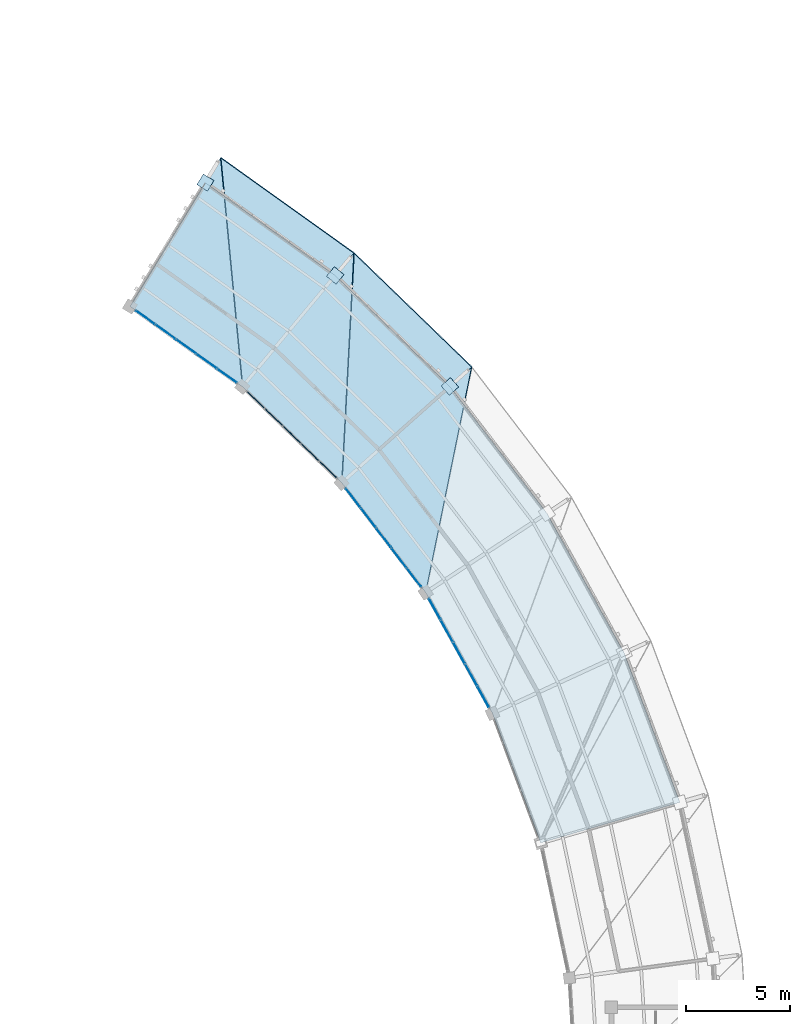
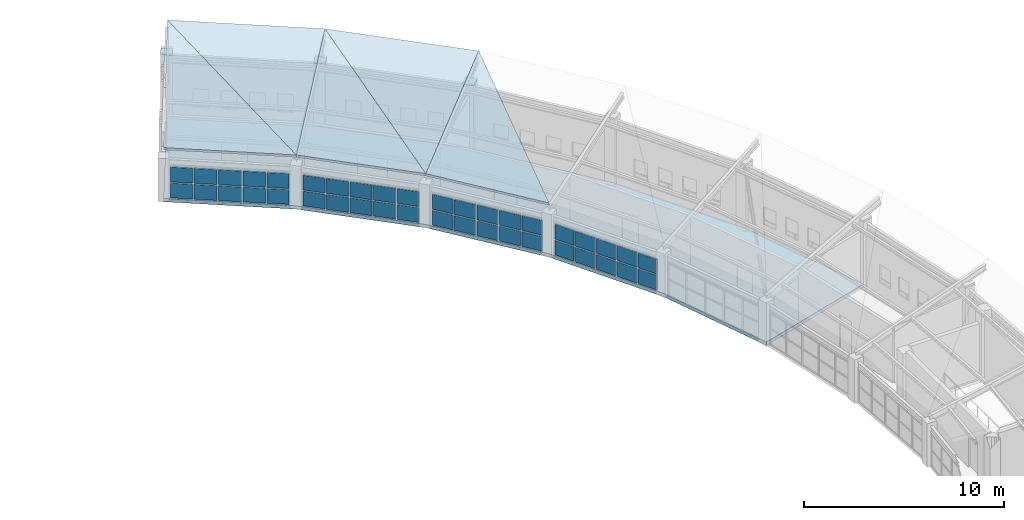
# One storey, part 109 of 149: 43 plates, 6 slabs, 4 elements without a shape of their own.
"""IFC4 building model written with IfcOpenShell, lengths in metres."""

from ifc_helpers import new_model, si_unit, direction, frame, origin, origin_2d, place, context, subcontext, project, spatial, polyline, rectangle, outline, extrude, material, layer, layer_set, type_object, element, aggregate, save


model = new_model("IFC4")

# Units and contexts
model_context = context("Model", 3, precision=1e-05, world=origin(), true_north=direction((0.0, 1.0)))
body_context = subcontext(model_context, "Body", "Model", "MODEL_VIEW")
ifc_project = project(units=[si_unit("LENGTHUNIT", "METRE"), si_unit("AREAUNIT", "SQUARE_METRE"), si_unit("VOLUMEUNIT", "CUBIC_METRE"), si_unit("PLANEANGLEUNIT", "RADIAN"), si_unit("MASSUNIT", "GRAM", prefix="KILO")], contexts=[model_context])

# Site, building, storey
site_placement = place(None, origin())
site = spatial("IfcSite", under=ifc_project, at=site_placement, CompositionType="ELEMENT")
building_placement = place(site_placement, origin())
building = spatial("IfcBuilding", under=site, at=building_placement, Name="Celadon Cloister-Ring School", CompositionType="ELEMENT")
storey_placement = place(building_placement, frame((0.0, 0.0, 12.5)))
storey = spatial("IfcBuildingStorey", under=building, at=storey_placement, Name="L03", CompositionType="ELEMENT", Elevation=12.5)

# Curtain wall, plates
ifc_material_1 = material(Name="Aluminium EN AW-6063 T6", Category="aluminium")
curtain_wall_type = type_object("IfcCurtainWallType", Name="CW-02", PredefinedType="USERDEFINED", material=ifc_material_1)
curtain_wall_1_placement = place(storey_placement, origin())
curtain_wall_1 = element("IfcCurtainWall", 1, at=curtain_wall_1_placement, inside=storey, type_object=curtain_wall_type, Name="Curtain Wall 0075", ObjectType="CURTAIN WALL", PredefinedType="USERDEFINED")
ifc_material_2 = material(Name="Tempered laminated insulating glass", Category="glass")
ifc_layer_1 = layer(ifc_material_2, 0.035888671875)
ifc_layer_set_1 = layer_set([ifc_layer_1], Name="Tempered laminated insulating glass")
plate_type_1 = type_object("IfcPlateType", Name="CPN-03", PredefinedType="CURTAIN_PANEL", material=ifc_layer_set_1)
plate_1_placement = place(storey_placement, frame((127.443603515625, 78.59716796875, 0.074951171875), z_axis=(0.0, 0.0, 1.0), x_axis=(-0.483890699018, 0.875128442804, 0.0)))
plate_1 = element("IfcPlate", 2, at=plate_1_placement, type_object=plate_type_1, Name="CW-02 panel 1.1", PredefinedType="CURTAIN_PANEL", context=body_context, shape_type="SweptSolid", body=[
    extrude(rectangle(XDim=1.101806640625, YDim=0.035888671875, at=origin_2d()), origin(), (0.0, 0.0, 1.0), 0.8974609375),
])
plate_2_placement = place(storey_placement, frame((127.443603515625, 78.59716796875, 1.047607421875), z_axis=(0.0, 0.0, 1.0), x_axis=(-0.483890699018, 0.875128442804, 0.0)))
plate_2 = element("IfcPlate", 3, at=plate_2_placement, type_object=plate_type_1, Name="CW-02 panel 1.2", PredefinedType="CURTAIN_PANEL", context=body_context, shape_type="SweptSolid", body=[
    extrude(rectangle(XDim=1.101806640625, YDim=0.035888671875, at=origin_2d()), origin(), (0.0, 0.0, 1.0), 0.8974609375),
])
plate_3_placement = place(storey_placement, frame((126.8623046875, 79.648681640625, 0.074951171875), z_axis=(0.0, 0.0, 1.0), x_axis=(-0.483890699018, 0.875128442804, 0.0)))
plate_3 = element("IfcPlate", 4, at=plate_3_placement, type_object=plate_type_1, Name="CW-02 panel 2.1", PredefinedType="CURTAIN_PANEL", context=body_context, shape_type="SweptSolid", body=[
    extrude(rectangle(XDim=1.141845703125, YDim=0.035888671875, at=origin_2d()), origin(), (0.0, 0.0, 1.0), 0.8974609375),
])
plate_4_placement = place(storey_placement, frame((126.8623046875, 79.648681640625, 1.047607421875), z_axis=(0.0, 0.0, 1.0), x_axis=(-0.483890699018, 0.875128442804, 0.0)))
plate_4 = element("IfcPlate", 5, at=plate_4_placement, type_object=plate_type_1, Name="CW-02 panel 2.2", PredefinedType="CURTAIN_PANEL", context=body_context, shape_type="SweptSolid", body=[
    extrude(rectangle(XDim=1.141845703125, YDim=0.035888671875, at=origin_2d()), origin(), (0.0, 0.0, 1.0), 0.8974609375),
])
plate_5_placement = place(storey_placement, frame((126.27099609375, 80.718017578125, 0.074951171875), z_axis=(0.0, 0.0, 1.0), x_axis=(-0.483890699018, 0.875128442804, 0.0)))
plate_5 = element("IfcPlate", 6, at=plate_5_placement, type_object=plate_type_1, Name="CW-02 panel 3.1", PredefinedType="CURTAIN_PANEL", context=body_context, shape_type="SweptSolid", body=[
    extrude(rectangle(XDim=1.141845703125, YDim=0.035888671875, at=origin_2d()), origin(), (0.0, 0.0, 1.0), 0.8974609375),
])
plate_6_placement = place(storey_placement, frame((126.27099609375, 80.718017578125, 1.047607421875), z_axis=(0.0, 0.0, 1.0), x_axis=(-0.483890699018, 0.875128442804, 0.0)))
plate_6 = element("IfcPlate", 7, at=plate_6_placement, type_object=plate_type_1, Name="CW-02 panel 3.2", PredefinedType="CURTAIN_PANEL", context=body_context, shape_type="SweptSolid", body=[
    extrude(rectangle(XDim=1.141845703125, YDim=0.035888671875, at=origin_2d()), origin(), (0.0, 0.0, 1.0), 0.8974609375),
])
plate_7_placement = place(storey_placement, frame((125.6796875, 81.787109375, 0.074951171875), z_axis=(0.0, 0.0, 1.0), x_axis=(-0.483890699018, 0.875128442804, 0.0)))
plate_7 = element("IfcPlate", 8, at=plate_7_placement, type_object=plate_type_1, Name="CW-02 panel 4.1", PredefinedType="CURTAIN_PANEL", context=body_context, shape_type="SweptSolid", body=[
    extrude(rectangle(XDim=1.141845703125, YDim=0.035888671875, at=origin_2d()), origin(), (0.0, 0.0, 1.0), 0.8974609375),
])
plate_8_placement = place(storey_placement, frame((125.6796875, 81.787109375, 1.047607421875), z_axis=(0.0, 0.0, 1.0), x_axis=(-0.483890699018, 0.875128442804, 0.0)))
plate_8 = element("IfcPlate", 9, at=plate_8_placement, type_object=plate_type_1, Name="CW-02 panel 4.2", PredefinedType="CURTAIN_PANEL", context=body_context, shape_type="SweptSolid", body=[
    extrude(rectangle(XDim=1.141845703125, YDim=0.035888671875, at=origin_2d()), origin(), (0.0, 0.0, 1.0), 0.8974609375),
])
plate_9_placement = place(storey_placement, frame((125.098388671875, 82.8388671875, 0.074951171875), z_axis=(0.0, 0.0, 1.0), x_axis=(-0.483890699018, 0.875128442804, 0.0)))
plate_9 = element("IfcPlate", 10, at=plate_9_placement, type_object=plate_type_1, Name="CW-02 panel 5.1", PredefinedType="CURTAIN_PANEL", context=body_context, shape_type="SweptSolid", body=[
    extrude(rectangle(XDim=1.101806640625, YDim=0.035888671875, at=origin_2d()), origin(), (0.0, 0.0, 1.0), 0.8974609375),
])
plate_10_placement = place(storey_placement, frame((125.098388671875, 82.8388671875, 1.047607421875), z_axis=(0.0, 0.0, 1.0), x_axis=(-0.483890699018, 0.875128442804, 0.0)))
plate_10 = element("IfcPlate", 11, at=plate_10_placement, type_object=plate_type_1, Name="CW-02 panel 5.2", PredefinedType="CURTAIN_PANEL", context=body_context, shape_type="SweptSolid", body=[
    extrude(rectangle(XDim=1.101806640625, YDim=0.035888671875, at=origin_2d()), origin(), (0.0, 0.0, 1.0), 0.8974609375),
])
aggregate(curtain_wall_1, [plate_1, plate_2, plate_3, plate_4, plate_5, plate_6, plate_7, plate_8, plate_9, plate_10])

curtain_wall_2_placement = place(storey_placement, origin())
curtain_wall_2 = element("IfcCurtainWall", 12, at=curtain_wall_2_placement, inside=storey, type_object=curtain_wall_type, Name="Curtain Wall 0076", ObjectType="CURTAIN WALL", PredefinedType="USERDEFINED")
plate_11_placement = place(storey_placement, frame((124.105224609375, 84.35693359375, 0.074951171875), z_axis=(0.0, 0.0, 1.0), x_axis=(-0.608008842091, 0.793930253825, 0.0)))
plate_11 = element("IfcPlate", 13, at=plate_11_placement, type_object=plate_type_1, Name="CW-02 panel 1.1", PredefinedType="CURTAIN_PANEL", context=body_context, shape_type="SweptSolid", body=[
    extrude(rectangle(XDim=1.10205078125, YDim=0.035888671875, at=origin_2d()), origin(), (0.0, 0.0, 1.0), 0.8974609375),
])
plate_12_placement = place(storey_placement, frame((124.105224609375, 84.35693359375, 1.047607421875), z_axis=(0.0, 0.0, 1.0), x_axis=(-0.608008842091, 0.793930253825, 0.0)))
plate_12 = element("IfcPlate", 14, at=plate_12_placement, type_object=plate_type_1, Name="CW-02 panel 1.2", PredefinedType="CURTAIN_PANEL", context=body_context, shape_type="SweptSolid", body=[
    extrude(rectangle(XDim=1.10205078125, YDim=0.035888671875, at=origin_2d()), origin(), (0.0, 0.0, 1.0), 0.8974609375),
])
plate_13_placement = place(storey_placement, frame((123.37451171875, 85.311279296875, 0.074951171875), z_axis=(0.0, 0.0, 1.0), x_axis=(-0.608008842091, 0.793930253825, 0.0)))
plate_13 = element("IfcPlate", 15, at=plate_13_placement, type_object=plate_type_1, Name="CW-02 panel 2.1", PredefinedType="CURTAIN_PANEL", context=body_context, shape_type="SweptSolid", body=[
    extrude(rectangle(XDim=1.14208984375, YDim=0.035888671875, at=origin_2d()), origin(), (0.0, 0.0, 1.0), 0.8974609375),
])
plate_14_placement = place(storey_placement, frame((123.37451171875, 85.311279296875, 1.047607421875), z_axis=(0.0, 0.0, 1.0), x_axis=(-0.608008842091, 0.793930253825, 0.0)))
plate_14 = element("IfcPlate", 16, at=plate_14_placement, type_object=plate_type_1, Name="CW-02 panel 2.2", PredefinedType="CURTAIN_PANEL", context=body_context, shape_type="SweptSolid", body=[
    extrude(rectangle(XDim=1.14208984375, YDim=0.035888671875, at=origin_2d()), origin(), (0.0, 0.0, 1.0), 0.8974609375),
])
plate_15_placement = place(storey_placement, frame((122.631591796875, 86.281494140625, 0.074951171875), z_axis=(0.0, 0.0, 1.0), x_axis=(-0.608008842091, 0.793930253825, 0.0)))
plate_15 = element("IfcPlate", 17, at=plate_15_placement, type_object=plate_type_1, Name="CW-02 panel 3.1", PredefinedType="CURTAIN_PANEL", context=body_context, shape_type="SweptSolid", body=[
    extrude(rectangle(XDim=1.14208984375, YDim=0.035888671875, at=origin_2d()), origin(), (0.0, 0.0, 1.0), 0.8974609375),
])
plate_16_placement = place(storey_placement, frame((122.631591796875, 86.281494140625, 1.047607421875), z_axis=(0.0, 0.0, 1.0), x_axis=(-0.608008842091, 0.793930253825, 0.0)))
plate_16 = element("IfcPlate", 18, at=plate_16_placement, type_object=plate_type_1, Name="CW-02 panel 3.2", PredefinedType="CURTAIN_PANEL", context=body_context, shape_type="SweptSolid", body=[
    extrude(rectangle(XDim=1.14208984375, YDim=0.035888671875, at=origin_2d()), origin(), (0.0, 0.0, 1.0), 0.8974609375),
])
plate_17_placement = place(storey_placement, frame((121.888427734375, 87.251708984375, 0.074951171875), z_axis=(0.0, 0.0, 1.0), x_axis=(-0.608008842091, 0.793930253825, 0.0)))
plate_17 = element("IfcPlate", 19, at=plate_17_placement, type_object=plate_type_1, Name="CW-02 panel 4.1", PredefinedType="CURTAIN_PANEL", context=body_context, shape_type="SweptSolid", body=[
    extrude(rectangle(XDim=1.14208984375, YDim=0.035888671875, at=origin_2d()), origin(), (0.0, 0.0, 1.0), 0.8974609375),
])
plate_18_placement = place(storey_placement, frame((121.888427734375, 87.251708984375, 1.047607421875), z_axis=(0.0, 0.0, 1.0), x_axis=(-0.608008842091, 0.793930253825, 0.0)))
plate_18 = element("IfcPlate", 20, at=plate_18_placement, type_object=plate_type_1, Name="CW-02 panel 4.2", PredefinedType="CURTAIN_PANEL", context=body_context, shape_type="SweptSolid", body=[
    extrude(rectangle(XDim=1.14208984375, YDim=0.035888671875, at=origin_2d()), origin(), (0.0, 0.0, 1.0), 0.8974609375),
])
plate_19_placement = place(storey_placement, frame((121.15771484375, 88.2060546875, 0.074951171875), z_axis=(0.0, 0.0, 1.0), x_axis=(-0.608008842091, 0.793930253825, 0.0)))
plate_19 = element("IfcPlate", 21, at=plate_19_placement, type_object=plate_type_1, Name="CW-02 panel 5.1", PredefinedType="CURTAIN_PANEL", context=body_context, shape_type="SweptSolid", body=[
    extrude(rectangle(XDim=1.10205078125, YDim=0.035888671875, at=origin_2d()), origin(), (0.0, 0.0, 1.0), 0.8974609375),
])
plate_20_placement = place(storey_placement, frame((121.15771484375, 88.2060546875, 1.047607421875), z_axis=(0.0, 0.0, 1.0), x_axis=(-0.608008842091, 0.793930253825, 0.0)))
plate_20 = element("IfcPlate", 22, at=plate_20_placement, type_object=plate_type_1, Name="CW-02 panel 5.2", PredefinedType="CURTAIN_PANEL", context=body_context, shape_type="SweptSolid", body=[
    extrude(rectangle(XDim=1.10205078125, YDim=0.035888671875, at=origin_2d()), origin(), (0.0, 0.0, 1.0), 0.8974609375),
])
aggregate(curtain_wall_2, [plate_11, plate_12, plate_13, plate_14, plate_15, plate_16, plate_17, plate_18, plate_19, plate_20])

curtain_wall_3_placement = place(storey_placement, origin())
curtain_wall_3 = element("IfcCurtainWall", 23, at=curtain_wall_3_placement, inside=storey, type_object=curtain_wall_type, Name="Curtain Wall 0077", ObjectType="CURTAIN WALL", PredefinedType="USERDEFINED")
plate_21_placement = place(storey_placement, frame((119.95166015625, 89.560791015625, 0.074951171875), z_axis=(0.0, 0.0, 1.0), x_axis=(-0.718552007078, 0.695473229624, 0.0)))
plate_21 = element("IfcPlate", 24, at=plate_21_placement, type_object=plate_type_1, Name="CW-02 panel 1.1", PredefinedType="CURTAIN_PANEL", context=body_context, shape_type="SweptSolid", body=[
    extrude(rectangle(XDim=1.101806640625, YDim=0.035888671875, at=origin_2d()), origin(), (0.0, 0.0, 1.0), 0.8974609375),
])
plate_22_placement = place(storey_placement, frame((119.95166015625, 89.560791015625, 1.047607421875), z_axis=(0.0, 0.0, 1.0), x_axis=(-0.718552007078, 0.695473229624, 0.0)))
plate_22 = element("IfcPlate", 25, at=plate_22_placement, type_object=plate_type_1, Name="CW-02 panel 1.2", PredefinedType="CURTAIN_PANEL", context=body_context, shape_type="SweptSolid", body=[
    extrude(rectangle(XDim=1.101806640625, YDim=0.035888671875, at=origin_2d()), origin(), (0.0, 0.0, 1.0), 0.8974609375),
])
plate_23_placement = place(storey_placement, frame((119.087890625, 90.396728515625, 0.074951171875), z_axis=(0.0, 0.0, 1.0), x_axis=(-0.718552007078, 0.695473229624, 0.0)))
plate_23 = element("IfcPlate", 26, at=plate_23_placement, type_object=plate_type_1, Name="CW-02 panel 2.1", PredefinedType="CURTAIN_PANEL", context=body_context, shape_type="SweptSolid", body=[
    extrude(rectangle(XDim=1.141845703125, YDim=0.035888671875, at=origin_2d()), origin(), (0.0, 0.0, 1.0), 0.8974609375),
])
plate_24_placement = place(storey_placement, frame((119.087890625, 90.396728515625, 1.047607421875), z_axis=(0.0, 0.0, 1.0), x_axis=(-0.718552007078, 0.695473229624, 0.0)))
plate_24 = element("IfcPlate", 27, at=plate_24_placement, type_object=plate_type_1, Name="CW-02 panel 2.2", PredefinedType="CURTAIN_PANEL", context=body_context, shape_type="SweptSolid", body=[
    extrude(rectangle(XDim=1.141845703125, YDim=0.035888671875, at=origin_2d()), origin(), (0.0, 0.0, 1.0), 0.8974609375),
])
plate_25_placement = place(storey_placement, frame((118.2099609375, 91.24658203125, 0.074951171875), z_axis=(0.0, 0.0, 1.0), x_axis=(-0.718552007078, 0.695473229624, 0.0)))
plate_25 = element("IfcPlate", 28, at=plate_25_placement, type_object=plate_type_1, Name="CW-02 panel 3.1", PredefinedType="CURTAIN_PANEL", context=body_context, shape_type="SweptSolid", body=[
    extrude(rectangle(XDim=1.141845703125, YDim=0.035888671875, at=origin_2d()), origin(), (0.0, 0.0, 1.0), 0.8974609375),
])
plate_26_placement = place(storey_placement, frame((118.2099609375, 91.24658203125, 1.047607421875), z_axis=(0.0, 0.0, 1.0), x_axis=(-0.718552007078, 0.695473229624, 0.0)))
plate_26 = element("IfcPlate", 29, at=plate_26_placement, type_object=plate_type_1, Name="CW-02 panel 3.2", PredefinedType="CURTAIN_PANEL", context=body_context, shape_type="SweptSolid", body=[
    extrude(rectangle(XDim=1.141845703125, YDim=0.035888671875, at=origin_2d()), origin(), (0.0, 0.0, 1.0), 0.8974609375),
])
plate_27_placement = place(storey_placement, frame((117.33203125, 92.09619140625, 0.074951171875), z_axis=(0.0, 0.0, 1.0), x_axis=(-0.718552007078, 0.695473229624, 0.0)))
plate_27 = element("IfcPlate", 30, at=plate_27_placement, type_object=plate_type_1, Name="CW-02 panel 4.1", PredefinedType="CURTAIN_PANEL", context=body_context, shape_type="SweptSolid", body=[
    extrude(rectangle(XDim=1.141845703125, YDim=0.035888671875, at=origin_2d()), origin(), (0.0, 0.0, 1.0), 0.8974609375),
])
plate_28_placement = place(storey_placement, frame((117.33203125, 92.09619140625, 1.047607421875), z_axis=(0.0, 0.0, 1.0), x_axis=(-0.718552007078, 0.695473229624, 0.0)))
plate_28 = element("IfcPlate", 31, at=plate_28_placement, type_object=plate_type_1, Name="CW-02 panel 4.2", PredefinedType="CURTAIN_PANEL", context=body_context, shape_type="SweptSolid", body=[
    extrude(rectangle(XDim=1.141845703125, YDim=0.035888671875, at=origin_2d()), origin(), (0.0, 0.0, 1.0), 0.8974609375),
])
plate_29_placement = place(storey_placement, frame((116.46826171875, 92.93212890625, 0.074951171875), z_axis=(0.0, 0.0, 1.0), x_axis=(-0.718552007078, 0.695473229624, 0.0)))
plate_29 = element("IfcPlate", 32, at=plate_29_placement, type_object=plate_type_1, Name="CW-02 panel 5.1", PredefinedType="CURTAIN_PANEL", context=body_context, shape_type="SweptSolid", body=[
    extrude(rectangle(XDim=1.101806640625, YDim=0.035888671875, at=origin_2d()), origin(), (0.0, 0.0, 1.0), 0.8974609375),
])
plate_30_placement = place(storey_placement, frame((116.46826171875, 92.93212890625, 1.047607421875), z_axis=(0.0, 0.0, 1.0), x_axis=(-0.718552007078, 0.695473229624, 0.0)))
plate_30 = element("IfcPlate", 33, at=plate_30_placement, type_object=plate_type_1, Name="CW-02 panel 5.2", PredefinedType="CURTAIN_PANEL", context=body_context, shape_type="SweptSolid", body=[
    extrude(rectangle(XDim=1.101806640625, YDim=0.035888671875, at=origin_2d()), origin(), (0.0, 0.0, 1.0), 0.8974609375),
])
aggregate(curtain_wall_3, [plate_21, plate_22, plate_23, plate_24, plate_25, plate_26, plate_27, plate_28, plate_29, plate_30])

curtain_wall_4_placement = place(storey_placement, origin())
curtain_wall_4 = element("IfcCurtainWall", 34, at=curtain_wall_4_placement, inside=storey, type_object=curtain_wall_type, Name="Curtain Wall 0078", ObjectType="CURTAIN WALL", PredefinedType="USERDEFINED")
plate_31_placement = place(storey_placement, frame((115.074951171875, 94.093994140625, 0.074951171875), z_axis=(0.0, 0.0, 1.0), x_axis=(-0.813445783279, 0.581640746221, 0.0)))
plate_31 = element("IfcPlate", 35, at=plate_31_placement, type_object=plate_type_1, Name="CW-02 panel 1.1", PredefinedType="CURTAIN_PANEL", context=body_context, shape_type="SweptSolid", body=[
    extrude(rectangle(XDim=1.101806640625, YDim=0.035888671875, at=origin_2d()), origin(), (0.0, 0.0, 1.0), 0.8974609375),
])
plate_32_placement = place(storey_placement, frame((115.074951171875, 94.093994140625, 1.047607421875), z_axis=(0.0, 0.0, 1.0), x_axis=(-0.813445783279, 0.581640746221, 0.0)))
plate_32 = element("IfcPlate", 36, at=plate_32_placement, type_object=plate_type_1, Name="CW-02 panel 1.2", PredefinedType="CURTAIN_PANEL", context=body_context, shape_type="SweptSolid", body=[
    extrude(rectangle(XDim=1.101806640625, YDim=0.035888671875, at=origin_2d()), origin(), (0.0, 0.0, 1.0), 0.8974609375),
])
plate_33_placement = place(storey_placement, frame((114.097412109375, 94.79296875, 0.074951171875), z_axis=(0.0, 0.0, 1.0), x_axis=(-0.813445783279, 0.581640746221, 0.0)))
plate_33 = element("IfcPlate", 37, at=plate_33_placement, type_object=plate_type_1, Name="CW-02 panel 2.1", PredefinedType="CURTAIN_PANEL", context=body_context, shape_type="SweptSolid", body=[
    extrude(rectangle(XDim=1.1416015625, YDim=0.035888671875, at=origin_2d()), origin(), (0.0, 0.0, 1.0), 0.8974609375),
])
plate_34_placement = place(storey_placement, frame((114.097412109375, 94.79296875, 1.047607421875), z_axis=(0.0, 0.0, 1.0), x_axis=(-0.813445783279, 0.581640746221, 0.0)))
plate_34 = element("IfcPlate", 38, at=plate_34_placement, type_object=plate_type_1, Name="CW-02 panel 2.2", PredefinedType="CURTAIN_PANEL", context=body_context, shape_type="SweptSolid", body=[
    extrude(rectangle(XDim=1.1416015625, YDim=0.035888671875, at=origin_2d()), origin(), (0.0, 0.0, 1.0), 0.8974609375),
])
plate_35_placement = place(storey_placement, frame((113.103515625, 95.50341796875, 0.074951171875), z_axis=(0.0, 0.0, 1.0), x_axis=(-0.813445783279, 0.581640746221, 0.0)))
plate_35 = element("IfcPlate", 39, at=plate_35_placement, type_object=plate_type_1, Name="CW-02 panel 3.1", PredefinedType="CURTAIN_PANEL", context=body_context, shape_type="SweptSolid", body=[
    extrude(rectangle(XDim=1.1416015625, YDim=0.035888671875, at=origin_2d()), origin(), (0.0, 0.0, 1.0), 0.8974609375),
])
plate_36_placement = place(storey_placement, frame((113.103515625, 95.50341796875, 1.047607421875), z_axis=(0.0, 0.0, 1.0), x_axis=(-0.813445783279, 0.581640746221, 0.0)))
plate_36 = element("IfcPlate", 40, at=plate_36_placement, type_object=plate_type_1, Name="CW-02 panel 3.2", PredefinedType="CURTAIN_PANEL", context=body_context, shape_type="SweptSolid", body=[
    extrude(rectangle(XDim=1.1416015625, YDim=0.035888671875, at=origin_2d()), origin(), (0.0, 0.0, 1.0), 0.8974609375),
])
plate_37_placement = place(storey_placement, frame((112.109619140625, 96.214111328125, 0.074951171875), z_axis=(0.0, 0.0, 1.0), x_axis=(-0.813445783279, 0.581640746221, 0.0)))
plate_37 = element("IfcPlate", 41, at=plate_37_placement, type_object=plate_type_1, Name="CW-02 panel 4.1", PredefinedType="CURTAIN_PANEL", context=body_context, shape_type="SweptSolid", body=[
    extrude(rectangle(XDim=1.1416015625, YDim=0.035888671875, at=origin_2d()), origin(), (0.0, 0.0, 1.0), 0.8974609375),
])
plate_38_placement = place(storey_placement, frame((112.109619140625, 96.214111328125, 1.047607421875), z_axis=(0.0, 0.0, 1.0), x_axis=(-0.813445783279, 0.581640746221, 0.0)))
plate_38 = element("IfcPlate", 42, at=plate_38_placement, type_object=plate_type_1, Name="CW-02 panel 4.2", PredefinedType="CURTAIN_PANEL", context=body_context, shape_type="SweptSolid", body=[
    extrude(rectangle(XDim=1.1416015625, YDim=0.035888671875, at=origin_2d()), origin(), (0.0, 0.0, 1.0), 0.8974609375),
])
plate_39_placement = place(storey_placement, frame((111.132080078125, 96.9130859375, 0.074951171875), z_axis=(0.0, 0.0, 1.0), x_axis=(-0.813445783279, 0.581640746221, 0.0)))
plate_39 = element("IfcPlate", 43, at=plate_39_placement, type_object=plate_type_1, Name="CW-02 panel 5.1", PredefinedType="CURTAIN_PANEL", context=body_context, shape_type="SweptSolid", body=[
    extrude(rectangle(XDim=1.101806640625, YDim=0.035888671875, at=origin_2d()), origin(), (0.0, 0.0, 1.0), 0.8974609375),
])
plate_40_placement = place(storey_placement, frame((111.132080078125, 96.9130859375, 1.047607421875), z_axis=(0.0, 0.0, 1.0), x_axis=(-0.813445783279, 0.581640746221, 0.0)))
plate_40 = element("IfcPlate", 44, at=plate_40_placement, type_object=plate_type_1, Name="CW-02 panel 5.2", PredefinedType="CURTAIN_PANEL", context=body_context, shape_type="SweptSolid", body=[
    extrude(rectangle(XDim=1.101806640625, YDim=0.035888671875, at=origin_2d()), origin(), (0.0, 0.0, 1.0), 0.8974609375),
])
aggregate(curtain_wall_4, [plate_31, plate_32, plate_33, plate_34, plate_35, plate_36, plate_37, plate_38, plate_39, plate_40])

# Plates
ifc_material_3 = material(Name="Structural steel S355JR", Category="steel")
ifc_layer_2 = layer(ifc_material_3, 0.02001953125)
ifc_layer_set_2 = layer_set([ifc_layer_2], Name="Structural steel S355JR")
plate_type_2 = type_object("IfcPlateType", Name="PT-01", PredefinedType="SHEET", material=ifc_layer_set_2)
for number, where, z_axis, x_axis, name in (
    (45, (125.83203125, 93.583984375, 4.041015625), (0.0, 0.0, 1.0), (0.746777491428, 0.66507396453, 0.0), "Gusset Plate 0036"),
    (46, (120.297119140625, 98.94091796875, 4.041015625), (0.0, 0.0, 1.0), (0.640324219757, 0.76810474129, 0.0), "Gusset Plate 0037"),
    (47, (114.031005859375, 103.422119140625, 4.0390625), (0.0, 0.0, 1.0), (0.519817342621, 0.854277431699, 0.0), "Gusset Plate 0038"),
):
    element("IfcPlate", number, at=place(storey_placement, frame(where, z_axis=z_axis, x_axis=x_axis)), inside=storey, type_object=plate_type_2, Name=name, PredefinedType="SHEET", context=body_context, shape_type="SweptSolid", body=[
        extrude(rectangle(XDim=0.60009765625, YDim=0.60009765625, at=origin_2d()), origin(), (0.0, 0.0, 1.0), 0.02001953125),
    ])

# Slabs
ifc_material_4 = material(Name="Concrete C35/45", Category="concrete")
ifc_layer_3 = layer(ifc_material_4, 0.199951171875)
ifc_layer_set_3 = layer_set([ifc_layer_3], Name="Concrete C35/45")
slab_type_1 = type_object("IfcSlabType", Name="SL-FL1", PredefinedType="FLOOR", material=ifc_layer_set_3)
slab_1_placement = place(storey_placement, frame((0.0, 0.0, -0.199951171875)))
element("IfcSlab", 48, at=slab_1_placement, inside=storey, type_object=slab_type_1, Name="Ring L03 Sector 0028", PredefinedType="FLOOR", context=body_context, shape_type="SweptSolid", body=[
    extrude(outline(polyline([(130.212890625, 71.554931640625), (127.884033203125, 77.801025390625), (124.657958984375, 83.635009765625), (120.60498046875, 88.927978515625), (115.81494140625, 93.56494140625), (110.39208984375, 97.44189453125), (114.031005859375, 103.422119140625), (120.297119140625, 98.94091796875), (125.83203125, 93.583984375), (130.51611328125, 87.467041015625), (134.243896484375, 80.72607421875), (136.93505859375, 73.508056640625), (130.212890625, 71.554931640625)])), origin(), (0.0, 0.0, 1.0), 0.199951171875),
])
ifc_material_5 = material(Name="Concrete C35/45", Category="concrete")
ifc_layer_4 = layer(ifc_material_5, 0.179931640625)
ifc_layer_set_4 = layer_set([ifc_layer_4], Name="Concrete C35/45")
slab_type_2 = type_object("IfcSlabType", Name="SL-RF1", PredefinedType="ROOF", material=ifc_layer_set_4)
slab_2_placement = place(storey_placement, frame((124.657958984375, 83.635009765625, 3.10009765625), z_axis=(-0.175608578136, -0.134468542695, 0.975233222522), x_axis=(0.197060577319, 0.965776703798, 0.168649006125)))
element("IfcSlab", 49, at=slab_2_placement, inside=storey, type_object=slab_type_2, Name="Conical Upper Roof Outer Tri 0132", PredefinedType="ROOF", context=body_context, shape_type="SweptSolid", body=[
    extrude(outline(polyline([(0.0, 0.0), (11.26542271076647, 0.0), (4.31314362653296, 5.083202247942973), (0.0, 0.0)])), origin(), (0.0, 0.0, -1.0), 0.179931640625),
])
slab_3_placement = place(storey_placement, frame((120.60498046875, 88.927978515625, 3.10009765625), z_axis=(-0.153823419446, -0.158928798056, 0.975233301717), x_axis=(0.728363996349, 0.648707157019, 0.220601253973)))
element("IfcSlab", 50, at=slab_3_placement, inside=storey, type_object=slab_type_2, Name="Conical Upper Roof Inner Tri 0135", PredefinedType="ROOF", context=body_context, shape_type="SweptSolid", body=[
    extrude(outline(polyline([(0.0, 0.0), (8.612382339316063, 1.0755285551056204e-15), (8.041082911277602, 7.890811560279023), (0.0, 0.0)])), origin(), (0.0, 0.0, -1.0), 0.179931640625),
])
slab_4_placement = place(storey_placement, frame((120.60498046875, 88.927978515625, 3.10009765625), z_axis=(-0.153848025524, -0.158926881524, 0.975229732612), x_axis=(0.052204159895, 0.984294373841, 0.168639589997)))
element("IfcSlab", 51, at=slab_4_placement, inside=storey, type_object=slab_type_2, Name="Conical Upper Roof Outer Tri 0136", PredefinedType="ROOF", context=body_context, shape_type="SweptSolid", body=[
    extrude(outline(polyline([(0.0, 0.0), (11.266051724800207, -5.551115123125783e-17), (4.314076519831425, 5.0827790479567785), (0.0, 0.0)])), origin(), (0.0, 0.0, -1.0), 0.179931640625),
])
slab_5_placement = place(storey_placement, frame((115.81494140625, 93.56494140625, 3.10009765625), z_axis=(-0.128646166768, -0.179933969948, 0.975230193459), x_axis=(0.624505833458, 0.749214225187, 0.220613935992)))
element("IfcSlab", 52, at=slab_5_placement, inside=storey, type_object=slab_type_2, Name="Conical Upper Roof Inner Tri 0139", PredefinedType="ROOF", context=body_context, shape_type="SweptSolid", body=[
    extrude(outline(polyline([(0.0, 0.0), (8.611887255465504, -6.349087922075114e-16), (8.04016296722019, 7.889914312019226), (0.0, 0.0)])), origin(), (0.0, 0.0, -1.0), 0.179931640625),
])
slab_6_placement = place(storey_placement, frame((115.81494140625, 93.56494140625, 3.10009765625), z_axis=(-0.128639660438, -0.179933509928, 0.975231136586), x_axis=(-0.093822162101, 0.981199063244, 0.168658827782)))
element("IfcSlab", 53, at=slab_6_placement, inside=storey, type_object=slab_type_2, Name="Conical Upper Roof Outer Tri 0140", PredefinedType="ROOF", context=body_context, shape_type="SweptSolid", body=[
    extrude(outline(polyline([(0.0, 0.0), (11.264766681581328, -1.6653345369377348e-16), (4.312846432833721, 5.083054224494305), (0.0, 0.0)])), origin(), (0.0, 0.0, -1.0), 0.179931640625),
])

save(model, "model.ifc")
